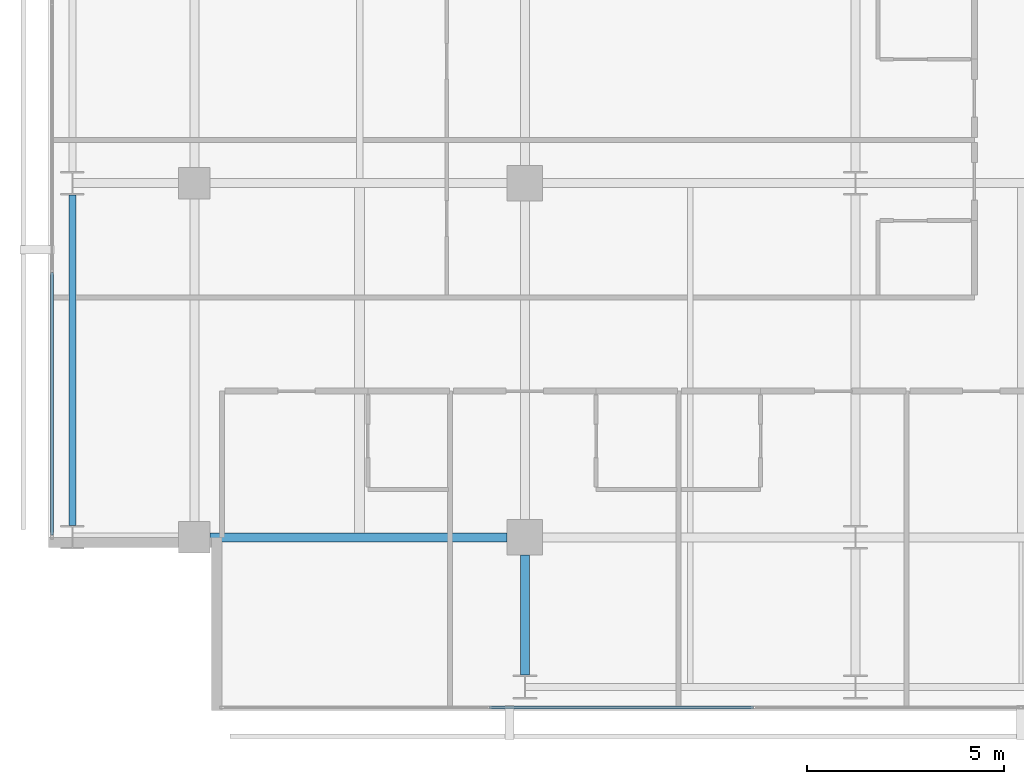
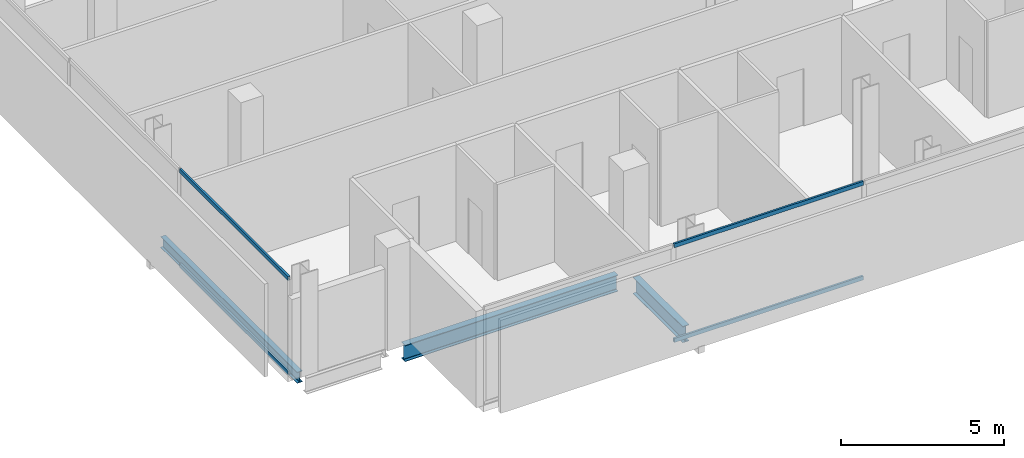
# One storey, part 3 of 34: 4 members, 3 beams, 2 elements without a shape of their own.
"""IFC4 building model written with IfcOpenShell, lengths in metres."""

from ifc_helpers import new_model, si_unit, direction, frame, origin, origin_2d, place, context, subcontext, project, spatial, hollow_rectangle, i_section, extrude, material, layer, layer_set, material_profile, profile_set, type_object, element, aggregate, save


model = new_model("IFC4")

# Units and contexts
model_context = context("Model", 3, precision=1e-05, world=origin(), true_north=direction((0.0, 1.0)))
body_context = subcontext(model_context, "Body", "Model", "MODEL_VIEW")
ifc_project = project(units=[si_unit("LENGTHUNIT", "METRE"), si_unit("AREAUNIT", "SQUARE_METRE"), si_unit("VOLUMEUNIT", "CUBIC_METRE"), si_unit("PLANEANGLEUNIT", "RADIAN"), si_unit("MASSUNIT", "GRAM", prefix="KILO")], contexts=[model_context])

# Site, building, storey
site_placement = place(None, origin())
site = spatial("IfcSite", under=ifc_project, at=site_placement, CompositionType="ELEMENT")
building_placement = place(site_placement, origin())
building = spatial("IfcBuilding", under=site, at=building_placement, Name="Maruvema Waterfront Hotel and Observation Tower", CompositionType="ELEMENT")
storey_placement = place(building_placement, frame((0.0, 0.0, 135.10009765625)))
storey = spatial("IfcBuildingStorey", under=building, at=storey_placement, Name="L32", CompositionType="ELEMENT", Elevation=135.10009765625)

# Curtain wall, members
ifc_material_1 = material(Name="Anodised bronze aluminium and solar-control low-E IGU", Category="aluminium")
ifc_layer = layer(ifc_material_1, 0.159912109375, Name="Zone 2 Amber Inner Thermal Curtain Wall System CW-03")
ifc_layer_set = layer_set([ifc_layer], Name="Anodised bronze aluminium and solar-control low-E IGU")
curtain_wall_type = type_object("IfcCurtainWallType", Name="Zone 2 Amber Inner Thermal Curtain Wall System CW-03", PredefinedType="USERDEFINED", material=ifc_layer_set)
curtain_wall_1_placement = place(storey_placement, origin())
curtain_wall_1 = element("IfcCurtainWall", 1, at=curtain_wall_1_placement, inside=storey, type_object=curtain_wall_type, Name="L32 Curtain Wall CW-L32-S", ObjectType="UNITISED CURTAIN WALL", PredefinedType="USERDEFINED")
ifc_material_2 = material(Name="Anodised architectural bronze aluminium", Category="aluminium")
ifc_material_profile_1 = material_profile(ifc_material_2, hollow_rectangle(XDim=0.070068359375, YDim=0.14990234375, WallThickness=0.00390625, at=origin_2d()), Name="ALU-T70x150")
ifc_profile_set_1 = profile_set([ifc_material_profile_1], Name="Anodised architectural bronze aluminium")
member_type = type_object("IfcMemberType", Name="Curtain Wall Horizontal Transom ALU-T70x150", PredefinedType="USERDEFINED", material=ifc_profile_set_1)
member_1_placement = place(storey_placement, frame((24.296630859375, 4.679931640625, 0.02978515625), z_axis=(1.0, 0.0, 0.0), x_axis=(0.0, 1.0, 0.0)))
member_1 = element("IfcMember", 2, at=member_1_placement, type_object=member_type, Name="CW-03 transom 2.1", ObjectType="TRANSOM", PredefinedType="USERDEFINED", context=body_context, shape_type="SweptSolid", body=[
    extrude(hollow_rectangle(XDim=0.070068359375, YDim=0.14990234375, WallThickness=0.00390625, at=origin_2d()), origin(), (0.0, 0.0, 1.0), 6.706787109375),
])
member_2_placement = place(storey_placement, frame((24.296630859375, 4.679931640625, 3.579833984375), z_axis=(1.0, 0.0, 0.0), x_axis=(0.0, 1.0, 0.0)))
member_2 = element("IfcMember", 3, at=member_2_placement, type_object=member_type, Name="CW-03 transom 2.2", ObjectType="TRANSOM", PredefinedType="USERDEFINED", context=body_context, shape_type="SweptSolid", body=[
    extrude(hollow_rectangle(XDim=0.070068359375, YDim=0.14990234375, WallThickness=0.00390625, at=origin_2d()), origin(), (0.0, 0.0, 1.0), 6.706787109375),
])
aggregate(curtain_wall_1, [member_1, member_2])

curtain_wall_2_placement = place(storey_placement, origin())
curtain_wall_2 = element("IfcCurtainWall", 4, at=curtain_wall_2_placement, inside=storey, type_object=curtain_wall_type, Name="L32 Curtain Wall CW-L32-W", ObjectType="UNITISED CURTAIN WALL", PredefinedType="USERDEFINED")
member_3_placement = place(storey_placement, frame((13.179931640625, 15.736572265625, 0.02978515625), z_axis=(0.0, -1.0, 0.0), x_axis=(1.0, 0.0, 0.0)))
member_3 = element("IfcMember", 5, at=member_3_placement, type_object=member_type, Name="CW-03 transom 6.1", ObjectType="TRANSOM", PredefinedType="USERDEFINED", context=body_context, shape_type="SweptSolid", body=[
    extrude(hollow_rectangle(XDim=0.070068359375, YDim=0.14990234375, WallThickness=0.00390625, at=origin_2d()), origin(), (0.0, 0.0, 1.0), 6.676513671875),
])
member_4_placement = place(storey_placement, frame((13.179931640625, 15.736572265625, 3.579833984375), z_axis=(0.0, -1.0, 0.0), x_axis=(1.0, 0.0, 0.0)))
member_4 = element("IfcMember", 6, at=member_4_placement, type_object=member_type, Name="CW-03 transom 6.2", ObjectType="TRANSOM", PredefinedType="USERDEFINED", context=body_context, shape_type="SweptSolid", body=[
    extrude(hollow_rectangle(XDim=0.070068359375, YDim=0.14990234375, WallThickness=0.00390625, at=origin_2d()), origin(), (0.0, 0.0, 1.0), 6.676513671875),
])
aggregate(curtain_wall_2, [member_3, member_4])

# Beams
ifc_material_3 = material(Name="Steel ASTM A572 Grade 50", Category="steel")
ifc_material_profile_2 = material_profile(ifc_material_3, i_section(OverallWidth=0.180908203125, OverallDepth=0.4169921875, WebThickness=0.010986328125, FlangeThickness=0.018310546875, FilletRadius=0.014892578125, at=origin_2d()), Name="W410x85.0")
ifc_profile_set_2 = profile_set([ifc_material_profile_2], Name="Steel ASTM A572 Grade 50")
beam_type_1 = type_object("IfcBeamType", Name="Perimeter Spandrel Beam W410x85.0", PredefinedType="SPANDREL", material=ifc_profile_set_2)
beam_1_placement = place(storey_placement, frame((13.699951171875, 9.300048828125, -0.448486328125), z_axis=(0.0, 1.0, 0.0), x_axis=(-1.0, 0.0, 0.0)))
element("IfcBeam", 7, at=beam_1_placement, inside=storey, type_object=beam_type_1, Name="L32 Floor Girder NS-01", PredefinedType="SPANDREL", context=body_context, shape_type="SweptSolid", body=[
    extrude(i_section(OverallWidth=0.180908203125, OverallDepth=0.4169921875, WebThickness=0.010986328125, FlangeThickness=0.018310546875, FilletRadius=0.014892578125, at=origin_2d()), origin(), (0.0, 0.0, 1.0), 8.39990234375),
])
ifc_material_4 = material(Name="Steel ASTM A572 Grade 50", Category="steel")
ifc_material_profile_3 = material_profile(ifc_material_4, i_section(OverallWidth=0.22900390625, OverallDepth=0.612060546875, WebThickness=0.011962890625, FlangeThickness=0.01953125, FilletRadius=0.01806640625, at=origin_2d()), Name="W610x125.0")
ifc_profile_set_3 = profile_set([ifc_material_profile_3], Name="Steel ASTM A572 Grade 50")
beam_type_2 = type_object("IfcBeamType", Name="Primary Floor Girder W610x125.0", PredefinedType="BEAM", material=ifc_profile_set_3)
beam_2_placement = place(storey_placement, frame((17.199951171875, 9.0, -0.546142578125), z_axis=(1.0, 0.0, 0.0), x_axis=(0.0, 1.0, 0.0)))
element("IfcBeam", 8, at=beam_2_placement, inside=storey, type_object=beam_type_2, Name="L32 Floor Girder EW-05", PredefinedType="BEAM", context=body_context, shape_type="SweptSolid", body=[
    extrude(i_section(OverallWidth=0.22900390625, OverallDepth=0.612060546875, WebThickness=0.011962890625, FlangeThickness=0.01953125, FilletRadius=0.01806640625, at=origin_2d()), origin(), (0.0, 0.0, 1.0), 7.550048828125),
])
beam_3_placement = place(storey_placement, frame((25.199951171875, 5.5, -0.546142578125), z_axis=(0.0, 1.0, 0.0), x_axis=(-1.0, 0.0, 0.0)))
element("IfcBeam", 9, at=beam_3_placement, inside=storey, type_object=beam_type_2, Name="L32 Floor Girder NS-09", PredefinedType="BEAM", context=body_context, shape_type="SweptSolid", body=[
    extrude(i_section(OverallWidth=0.22900390625, OverallDepth=0.612060546875, WebThickness=0.011962890625, FlangeThickness=0.01953125, FilletRadius=0.01806640625, at=origin_2d()), origin(), (0.0, 0.0, 1.0), 3.050048828125),
])

save(model, "model.ifc")
